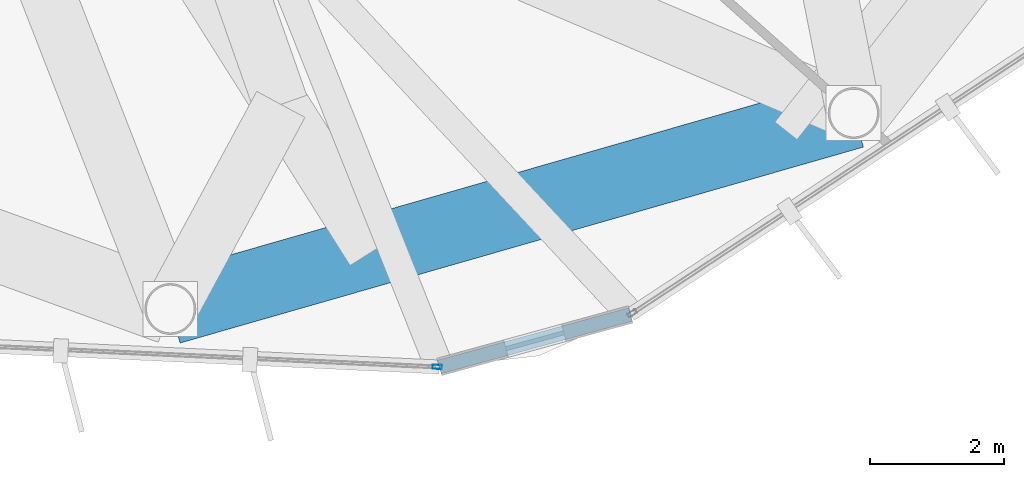
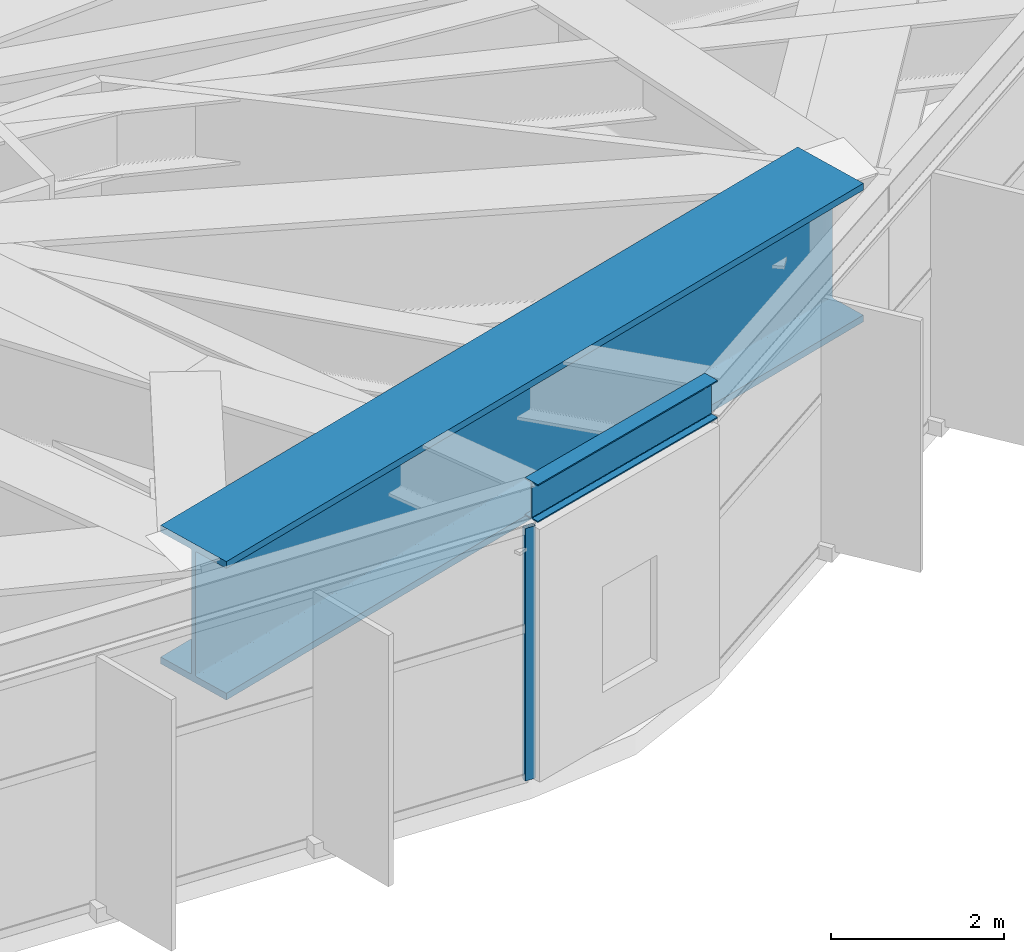
# One storey, part 6 of 27: 2 beams, 1 member, 1 element without a shape of its own.
"""IFC4 building model written with IfcOpenShell, lengths in metres."""

from ifc_helpers import new_model, si_unit, direction, frame, origin, origin_2d, place, context, subcontext, project, spatial, hollow_rectangle, i_section, extrude, material, layer, layer_set, material_profile, profile_set, type_object, element, aggregate, save


model = new_model("IFC4")

# Units and contexts
model_context = context("Model", 3, precision=1e-05, world=origin(), true_north=direction((0.0, 1.0)))
body_context = subcontext(model_context, "Body", "Model", "MODEL_VIEW")
ifc_project = project(units=[si_unit("LENGTHUNIT", "METRE"), si_unit("AREAUNIT", "SQUARE_METRE"), si_unit("VOLUMEUNIT", "CUBIC_METRE"), si_unit("PLANEANGLEUNIT", "RADIAN"), si_unit("MASSUNIT", "GRAM", prefix="KILO")], contexts=[model_context])

# Site, building, storey
site_placement = place(None, origin())
site = spatial("IfcSite", under=ifc_project, at=site_placement, CompositionType="ELEMENT")
building_placement = place(site_placement, origin())
building = spatial("IfcBuilding", under=site, at=building_placement, Name="Soratama Intermodal Tower", CompositionType="ELEMENT")
storey_placement = place(building_placement, frame((0.0, 0.0, 288.550048828125)))
storey = spatial("IfcBuildingStorey", under=building, at=storey_placement, Name="L73", CompositionType="ELEMENT", Elevation=288.550048828125)

# Beams
ifc_material_1 = material(Name="Structural steel ASTM A992 Grade 50", Category="steel")
ifc_material_profile_1 = material_profile(ifc_material_1, i_section(OverallWidth=0.2099609375, OverallDepth=0.537109375, WebThickness=0.010986328125, FlangeThickness=0.017333984375, FilletRadius=0.012939453125, at=origin_2d()), Name="W21X68")
ifc_profile_set_1 = profile_set([ifc_material_profile_1], Name="Structural steel ASTM A992 Grade 50")
beam_type_1 = type_object("IfcBeamType", Name="BM-SPN-W21X68", PredefinedType="SPANDREL", material=ifc_profile_set_1)
beam_1_placement = place(storey_placement, frame((48.422119140625, 6.943115234375, 3.926513671875), z_axis=(0.964254832861, 0.264976635392, 0.0), x_axis=(-0.264976635392, 0.964254832861, 0.0)))
element("IfcBeam", 1, at=beam_1_placement, inside=storey, type_object=beam_type_1, Name="BS-L73-CRN06", PredefinedType="SPANDREL", context=body_context, shape_type="SweptSolid", body=[
    extrude(i_section(OverallWidth=0.2099609375, OverallDepth=0.537109375, WebThickness=0.010986328125, FlangeThickness=0.017333984375, FilletRadius=0.012939453125, at=origin_2d()), origin(), (0.0, 0.0, 1.0), 2.9658203125),
])
ifc_material_2 = material(Name="Structural steel ASTM A992 Grade 50", Category="steel")
ifc_material_profile_2 = material_profile(ifc_material_2, i_section(OverallWidth=1.06005859375, OverallDepth=1.9599609375, WebThickness=0.05810546875, FlangeThickness=0.095947265625, FilletRadius=0.02392578125, at=origin_2d()), Name="PG2400X900")
ifc_profile_set_2 = profile_set([ifc_material_profile_2], Name="Structural steel ASTM A992 Grade 50")
beam_type_2 = type_object("IfcBeamType", Name="BM-ZSTEP-PG2400", PredefinedType="BEAM", material=ifc_profile_set_2)
beam_2_placement = place(storey_placement, frame((44.39990234375, 7.81103515625, 3.21484375), z_axis=(0.961262636932, 0.27563407416, 0.0), x_axis=(-0.27563407416, 0.961262636932, 0.0)))
element("IfcBeam", 2, at=beam_2_placement, inside=storey, type_object=beam_type_2, Name="BM-L73-RING-08", PredefinedType="BEAM", context=body_context, shape_type="SweptSolid", body=[
    extrude(i_section(OverallWidth=1.06005859375, OverallDepth=1.9599609375, WebThickness=0.05810546875, FlangeThickness=0.095947265625, FilletRadius=0.02392578125, at=origin_2d()), origin(), (0.0, 0.0, 1.0), 10.6298828125),
])

# Curtain wall, member
ifc_material_3 = material(Name="Double-glazed aluminium curtain wall", Category="aluminium")
ifc_layer = layer(ifc_material_3, 0.159912109375)
ifc_layer_set = layer_set([ifc_layer], Name="Double-glazed aluminium curtain wall")
curtain_wall_type = type_object("IfcCurtainWallType", Name="CW-SYS-6", PredefinedType="NOTDEFINED", material=ifc_layer_set)
curtain_wall_placement = place(storey_placement, origin())
curtain_wall = element("IfcCurtainWall", 3, at=curtain_wall_placement, inside=storey, type_object=curtain_wall_type, Name="L73 Faceted Curtain Wall F06", PredefinedType="NOTDEFINED")
ifc_material_4 = material(Name="Anodised aluminium AA 6063-T6", Category="aluminium")
ifc_material_profile_3 = material_profile(ifc_material_4, hollow_rectangle(XDim=0.06494140625, YDim=0.139892578125, WallThickness=0.0048828125, InnerFilletRadius=0.0048828125, OuterFilletRadius=0.010009765625, at=origin_2d()), Name="CWM140X65X5")
ifc_profile_set_3 = profile_set([ifc_material_profile_3], Name="Anodised aluminium AA 6063-T6")
member_type = type_object("IfcMemberType", Name="MT-CWM-6", PredefinedType="MULLION", material=ifc_profile_set_3)
member_placement = place(storey_placement, frame((48.391845703125, 6.94482421875, 0.0), z_axis=(0.0, 0.0, 1.0), x_axis=(0.04606033486, 0.998938659555, 0.0)))
member = element("IfcMember", 4, at=member_placement, type_object=member_type, Name="CW-6 mullion 2", PredefinedType="MULLION", context=body_context, shape_type="SweptSolid", body=[
    extrude(hollow_rectangle(XDim=0.06494140625, YDim=0.139892578125, WallThickness=0.0048828125, InnerFilletRadius=0.0048828125, OuterFilletRadius=0.010009765625, at=origin_2d()), origin(), (0.0, 0.0, 1.0), 3.573974609375),
])
aggregate(curtain_wall, [member])

save(model, "model.ifc")
